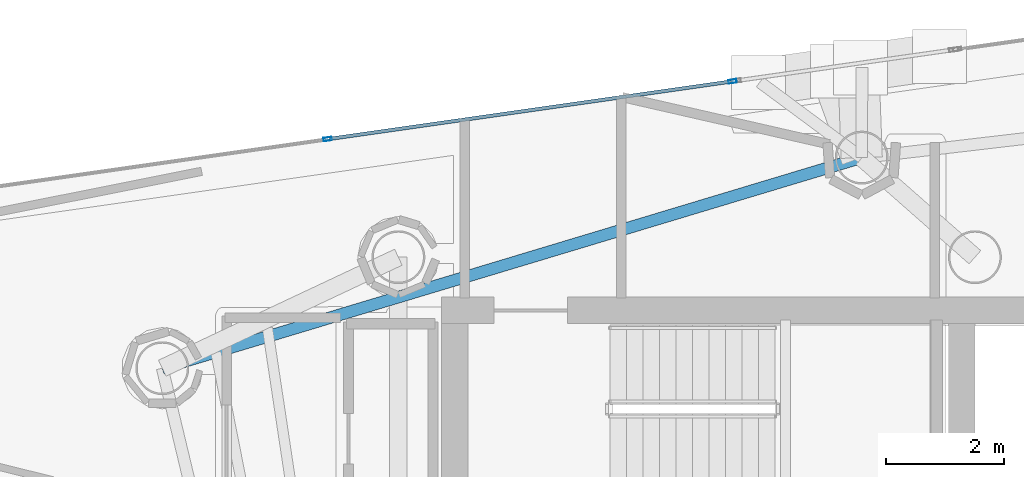
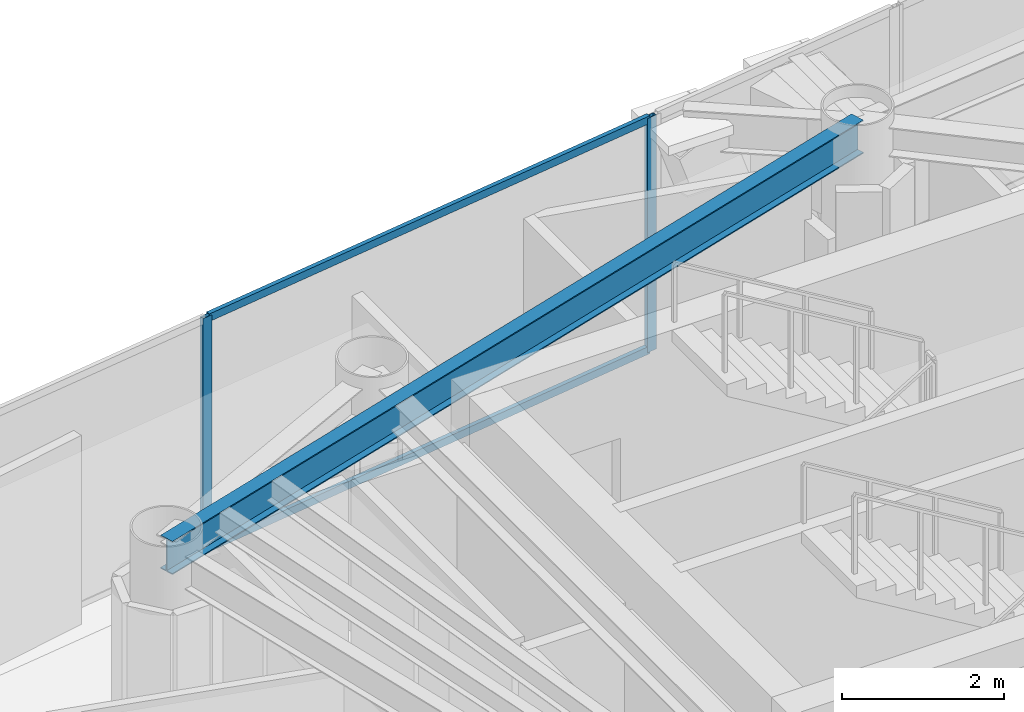
# One storey, part 12 of 25: 4 members, 1 beam, 1 element without a shape of its own.
"""IFC4 building model written with IfcOpenShell, lengths in metres."""

import ifcopenshell
import ifcopenshell.guid

model = None  # the IFC model being written
_history = None  # IfcOwnerHistory: only IFC2X3 demands one
_inside = {}  # id of a spatial element -> (the spatial element, [elements in it])
_under = {}  # id of a project, library or spatial element -> (it, [spatial elements below it])
_declared = {}  # id of a project -> (the project, [libraries it declares])
_typed = {}  # id of a type object -> (the type object, [elements of that type])
_made_of = {}  # id of a material, layer set ... -> (it, [elements and type objects made of it])


def new_model(schema):
    """Start an empty IFC model of exactly this schema.

    Asked for "IFC4X3", IfcOpenShell would pick the latest addendum, in which some entities
    have other attributes; the version numbers below select the first issue.
    IFC2X3 requires an IfcOwnerHistory on every rooted entity: one is made here for all.
    """
    global model, _history
    if schema == "IFC4X3":
        model = ifcopenshell.file(schema_version=(4, 3, 0, 0))
    else:
        model = ifcopenshell.file(schema=schema)
    _inside.clear()
    _under.clear()
    _declared.clear()
    _typed.clear()
    _made_of.clear()
    _history = None
    if model.schema == "IFC2X3":
        org = make("IfcOrganization", Name="unknown")
        user = make(
            "IfcPersonAndOrganization",
            ThePerson=make("IfcPerson", FamilyName="unknown"),
            TheOrganization=org,
        )
        app = make(
            "IfcApplication",
            ApplicationDeveloper=org,
            Version="unknown",
            ApplicationFullName="unknown",
            ApplicationIdentifier="unknown",
        )
        _history = make(
            "IfcOwnerHistory",
            OwningUser=user,
            OwningApplication=app,
            ChangeAction="ADDED",
            CreationDate=0,
        )
    return model


def make(cls, **values):
    """One entity of the class cls with the attributes given. An attribute that is None is left unset."""
    return model.create_entity(
        cls, **{name: value for name, value in values.items() if value is not None}
    )


def rooted(cls, **values):
    """An entity with a GlobalId (a new one), such as an element, a storey or a relation."""
    return make(cls, GlobalId=ifcopenshell.guid.new(), OwnerHistory=_history, **values)


def si_unit(unit_type, name, prefix=None):
    """IfcSIUnit, for example si_unit("LENGTHUNIT", "METRE", prefix="MILLI")."""
    return make("IfcSIUnit", UnitType=unit_type, Prefix=prefix, Name=name)


def assignment(units):
    """IfcUnitAssignment: the units of a project."""
    return None if units is None else make("IfcUnitAssignment", Units=units)


def point(xyz):
    """IfcCartesianPoint."""
    return None if xyz is None else make("IfcCartesianPoint", Coordinates=xyz)


def direction(xyz):
    """IfcDirection."""
    return None if xyz is None else make("IfcDirection", DirectionRatios=xyz)


def frame(location, z_axis=None, x_axis=None):
    """IfcAxis2Placement3D, a coordinate frame: its origin and axes. An axis left out is left unset."""
    return make(
        "IfcAxis2Placement3D",
        Location=point(location),
        Axis=direction(z_axis),
        RefDirection=direction(x_axis),
    )


def frame_2d(location, x_axis=None):
    """IfcAxis2Placement2D, a coordinate frame in the plane: its origin and x axis."""
    return make(
        "IfcAxis2Placement2D", Location=point(location), RefDirection=direction(x_axis)
    )


def origin():
    """The frame at (0, 0, 0) with its axes left unset."""
    return frame((0.0, 0.0, 0.0))


def origin_2d():
    """The frame at (0, 0) in the plane with its x axis left unset."""
    return frame_2d((0.0, 0.0))


def place(relative_to, where):
    """IfcLocalPlacement: puts the frame where relative to a parent placement (None: the world)."""
    return make(
        "IfcLocalPlacement", PlacementRelTo=relative_to, RelativePlacement=where
    )


def context(
    kind, dimensions, precision=None, world=None, true_north=None, identifier=None
):
    """IfcGeometricRepresentationContext, for example the 3D "Model" context."""
    return make(
        "IfcGeometricRepresentationContext",
        ContextIdentifier=identifier,
        ContextType=kind,
        CoordinateSpaceDimension=dimensions,
        Precision=precision,
        WorldCoordinateSystem=world,
        TrueNorth=true_north,
    )


def subcontext(parent, identifier, kind, view, scale=None):
    """IfcGeometricRepresentationSubContext, for example "Body" below "Model"."""
    return make(
        "IfcGeometricRepresentationSubContext",
        ContextIdentifier=identifier,
        ContextType=kind,
        ParentContext=parent,
        TargetScale=scale,
        TargetView=view,
    )


def project(units=None, contexts=None):
    """IfcProject with its units and contexts."""
    return rooted(
        "IfcProject",
        Name="project",
        RepresentationContexts=contexts,
        UnitsInContext=assignment(units),
    )


def spatial(cls, under=None, at=None, **own):
    """A site, building, storey or space (cls), placed at a placement, below another one or the project."""
    s = rooted(cls, ObjectPlacement=at, **own)
    if under is not None:
        _under.setdefault(under.id(), (under, []))[1].append(s)
    return s


def profile(cls, at=None, kind="AREA", **sizes):
    """A parametric profile (cls). Its sizes go by their IFC names, for example OverallWidth=200.0."""
    return make(cls, ProfileType=kind, Position=at, **sizes)


def hollow_rectangle(**sizes):
    """IfcRectangleHollowProfileDef."""
    return profile("IfcRectangleHollowProfileDef", **sizes)


def i_section(**sizes):
    """IfcIShapeProfileDef."""
    return profile("IfcIShapeProfileDef", **sizes)


def extrude(swept, where, along, depth):
    """IfcExtrudedAreaSolid: the profile swept, set in the frame where, extruded along a direction by depth."""
    return make(
        "IfcExtrudedAreaSolid",
        SweptArea=swept,
        Position=where,
        ExtrudedDirection=direction(along),
        Depth=depth,
    )


def shape(context_of_items, identifier, shape_type, items):
    """IfcShapeRepresentation: the items that make up one representation, for example the "Body"."""
    return make(
        "IfcShapeRepresentation",
        ContextOfItems=context_of_items,
        RepresentationIdentifier=identifier,
        RepresentationType=shape_type,
        Items=items,
    )


def material(Name=None, Category=None):
    """IfcMaterial."""
    return make("IfcMaterial", Name=Name, Category=Category)


def layer(
    of_material, thickness, ventilated=None, Name=None, Category=None, Priority=None
):
    """IfcMaterialLayer: one layer of a wall or slab, of a material (None: an air gap)."""
    return make(
        "IfcMaterialLayer",
        Material=of_material,
        LayerThickness=thickness,
        IsVentilated=ventilated,
        Name=Name,
        Category=Category,
        Priority=Priority,
    )


def layer_set(layers, Name=None):
    """IfcMaterialLayerSet."""
    return make("IfcMaterialLayerSet", MaterialLayers=layers, LayerSetName=Name)


def material_profile(
    of_material, cross_section, Name=None, Category=None, Priority=None
):
    """IfcMaterialProfile: a cross section and its material."""
    return make(
        "IfcMaterialProfile",
        Name=Name,
        Material=of_material,
        Profile=cross_section,
        Priority=Priority,
        Category=Category,
    )


def profile_set(profiles, Name=None, composite=None):
    """IfcMaterialProfileSet."""
    return make(
        "IfcMaterialProfileSet",
        Name=Name,
        MaterialProfiles=profiles,
        CompositeProfile=composite,
    )


def made_of(thing, what):
    """Note that an element or type object is made of a material, layer set ...; save() writes the relation."""
    if what is not None:
        _made_of.setdefault(what.id(), (what, []))[1].append(thing)
    return thing


def type_object(cls, material=None, **own):
    """A type object (cls), such as IfcWallType, which elements share."""
    return made_of(rooted(cls, **own), material)


def element(
    cls,
    number,
    at=None,
    inside=None,
    cuts=None,
    type_object=None,
    material=None,
    context=None,
    identifier="Body",
    shape_type=None,
    held_by="IfcProductDefinitionShape",
    body=None,
    shapes=None,
    **own,
):
    """One element of the class cls, such as IfcWall. Its Tag is "e" and its number.

    at: its placement. inside: the storey or other place that contains it. cuts: it is an
    opening in that element (IfcRelVoidsElement). A single representation is given by context,
    identifier, shape_type and body (its items); several are given by shapes. held_by: the class
    of the entity that holds the representations. save() writes the other relations.
    """
    e = rooted(cls, Tag="e%d" % number, ObjectPlacement=at, **own)
    if body is not None:
        shapes = [shape(context, identifier, shape_type, body)]
    if shapes is not None:
        e.Representation = make(held_by, Representations=shapes)
    if inside is not None:
        _inside.setdefault(inside.id(), (inside, []))[1].append(e)
    if cuts is not None:
        rooted(
            "IfcRelVoidsElement", RelatingBuildingElement=cuts, RelatedOpeningElement=e
        )
    if type_object is not None:
        _typed.setdefault(type_object.id(), (type_object, []))[1].append(e)
    return made_of(e, material)


def aggregate(whole, parts):
    """IfcRelAggregates: a whole, such as a stair, and the parts it consists of."""
    return rooted("IfcRelAggregates", RelatingObject=whole, RelatedObjects=parts)


def save(model, path):
    """Write the relations noted so far, then the file.

    IfcRelAggregates (storeys below a building ...), IfcRelContainedInSpatialStructure (elements
    in a storey), IfcRelDefinesByType, IfcRelAssociatesMaterial and IfcRelDeclares: one each for
    every whole, place, type object, material and project.
    """
    for whole, parts in _under.values():
        aggregate(whole, parts)
    for where, things in _inside.values():
        rooted(
            "IfcRelContainedInSpatialStructure",
            RelatedElements=things,
            RelatingStructure=where,
        )
    for kind, things in _typed.values():
        rooted("IfcRelDefinesByType", RelatedObjects=things, RelatingType=kind)
    for what, things in _made_of.values():
        rooted("IfcRelAssociatesMaterial", RelatedObjects=things, RelatingMaterial=what)
    for by, libraries in _declared.values():
        rooted("IfcRelDeclares", RelatingContext=by, RelatedDefinitions=libraries)
    model.write(path)


model = new_model("IFC4")

# Units and contexts
model_context = context("Model", 3, precision=1e-05, world=origin(), true_north=direction((0.0, 1.0)))
body_context = subcontext(model_context, "Body", "Model", "MODEL_VIEW")
ifc_project = project(units=[si_unit("LENGTHUNIT", "METRE"), si_unit("AREAUNIT", "SQUARE_METRE"), si_unit("VOLUMEUNIT", "CUBIC_METRE"), si_unit("PLANEANGLEUNIT", "RADIAN"), si_unit("MASSUNIT", "GRAM", prefix="KILO")], contexts=[model_context])

# Site, building, storey
site_placement = place(None, origin())
site = spatial("IfcSite", under=ifc_project, at=site_placement, CompositionType="ELEMENT")
building_placement = place(site_placement, origin())
building = spatial("IfcBuilding", under=site, at=building_placement, Name="Qianvela Tower", CompositionType="ELEMENT")
storey_placement = place(building_placement, frame((0.0, 0.0, 295.39990234375)))
storey = spatial("IfcBuildingStorey", under=building, at=storey_placement, Name="L76", CompositionType="ELEMENT", Elevation=295.39990234375)

# Beam
ifc_material_1 = material(Name="Steel Q355B", Category="steel")
ifc_material_profile_1 = material_profile(ifc_material_1, i_section(OverallWidth=0.199951171875, OverallDepth=0.5, WebThickness=0.010009765625, FlangeThickness=0.01611328125, at=origin_2d()), Name="HN500x200x10x16")
ifc_profile_set_1 = profile_set([ifc_material_profile_1], Name="Steel Q355B")
beam_type = type_object("IfcBeamType", Name="BM-HN500-GIRD", PredefinedType="BEAM", material=ifc_profile_set_1)
beam_placement = place(storey_placement, frame((36.47607421875, 35.242919921875, 3.26806640625), z_axis=(-0.957535726794, -0.288314640478, 0.0), x_axis=(0.288314640478, -0.957535726794, 0.0)))
element("IfcBeam", 1, at=beam_placement, inside=storey, type_object=beam_type, Name="L76 Perimeter Ring Spandrel Girder 2", PredefinedType="BEAM", context=body_context, shape_type="SweptSolid", body=[
    extrude(i_section(OverallWidth=0.199951171875, OverallDepth=0.5, WebThickness=0.010009765625, FlangeThickness=0.01611328125, at=origin_2d()), origin(), (0.0, 0.0, 1.0), 12.41650390625),
])

# Curtain wall, members
ifc_material_2 = material(Name="Anodised Architectural Aluminium and Low-E Glass", Category="aluminium")
ifc_layer = layer(ifc_material_2, 0.14990234375)
ifc_layer_set = layer_set([ifc_layer], Name="Anodised Architectural Aluminium and Low-E Glass")
curtain_wall_type = type_object("IfcCurtainWallType", Name="CW-COLIV-Z78", PredefinedType="USERDEFINED", material=ifc_layer_set)
curtain_wall_placement = place(storey_placement, origin())
curtain_wall = element("IfcCurtainWall", 2, at=curtain_wall_placement, inside=storey, type_object=curtain_wall_type, Name="L76 CW-COLIV-Z78 Curtain Wall 02C", ObjectType="CURTAIN_WALL_SYSTEM", PredefinedType="USERDEFINED")
ifc_material_3 = material(Name="Anodised Architectural Aluminium 6063-T6", Category="aluminium")
ifc_material_profile_2 = material_profile(ifc_material_3, hollow_rectangle(XDim=0.06005859375, YDim=0.139892578125, WallThickness=0.00439453125, at=origin_2d()), Name="ALU-MULL-60x140")
ifc_profile_set_2 = profile_set([ifc_material_profile_2], Name="Anodised Architectural Aluminium 6063-T6")
member_type_1 = type_object("IfcMemberType", Name="CW-COLIV-Z78-MULL", PredefinedType="MULLION", material=ifc_profile_set_2)
member_1_placement = place(storey_placement, frame((34.280029296875, 36.5400390625, 0.0), z_axis=(0.0, 0.0, 1.0), x_axis=(0.141362204424, -0.989957942117, 0.0)))
member_1 = element("IfcMember", 3, at=member_1_placement, type_object=member_type_1, Name="CW-6 mullion 1", PredefinedType="MULLION", context=body_context, shape_type="SweptSolid", body=[
    extrude(hollow_rectangle(XDim=0.06005859375, YDim=0.139892578125, WallThickness=0.00439453125, at=origin_2d()), origin(), (0.0, 0.0, 1.0), 3.52001953125),
])
member_2_placement = place(storey_placement, frame((27.397705078125, 35.557373046875, 0.0), z_axis=(0.0, 0.0, 1.0), x_axis=(0.141362204424, -0.989957942117, 0.0)))
member_2 = element("IfcMember", 4, at=member_2_placement, type_object=member_type_1, Name="CW-6 mullion 2", PredefinedType="MULLION", context=body_context, shape_type="SweptSolid", body=[
    extrude(hollow_rectangle(XDim=0.06005859375, YDim=0.139892578125, WallThickness=0.00439453125, at=origin_2d()), origin(), (0.0, 0.0, 1.0), 3.52001953125),
])
ifc_material_4 = material(Name="Anodised Architectural Aluminium 6063-T6", Category="aluminium")
ifc_material_profile_3 = material_profile(ifc_material_4, hollow_rectangle(XDim=0.06005859375, YDim=0.114990234375, WallThickness=0.00390625, at=origin_2d()), Name="ALU-TRAN-60x115")
ifc_profile_set_3 = profile_set([ifc_material_profile_3], Name="Anodised Architectural Aluminium 6063-T6")
member_type_2 = type_object("IfcMemberType", Name="CW-COLIV-Z78-TRAN", PredefinedType="USERDEFINED", material=ifc_profile_set_3)
member_3_placement = place(storey_placement, frame((34.250244140625, 36.535888671875, 0.030029296875), z_axis=(-0.989955868954, -0.141376721999, 0.0), x_axis=(0.141376721999, -0.989955868954, 0.0)))
member_3 = element("IfcMember", 5, at=member_3_placement, type_object=member_type_2, Name="CW-6 transom 1.1", ObjectType="TRANSOM", PredefinedType="USERDEFINED", context=body_context, shape_type="SweptSolid", body=[
    extrude(hollow_rectangle(XDim=0.06005859375, YDim=0.114990234375, WallThickness=0.00390625, at=origin_2d()), origin(), (0.0, 0.0, 1.0), 6.89208984375),
])
member_4_placement = place(storey_placement, frame((34.250244140625, 36.535888671875, 3.489990234375), z_axis=(-0.989955868954, -0.141376721999, 0.0), x_axis=(0.141376721999, -0.989955868954, 0.0)))
member_4 = element("IfcMember", 6, at=member_4_placement, type_object=member_type_2, Name="CW-6 transom 1.2", ObjectType="TRANSOM", PredefinedType="USERDEFINED", context=body_context, shape_type="SweptSolid", body=[
    extrude(hollow_rectangle(XDim=0.06005859375, YDim=0.114990234375, WallThickness=0.00390625, at=origin_2d()), origin(), (0.0, 0.0, 1.0), 6.89208984375),
])
aggregate(curtain_wall, [member_1, member_2, member_3, member_4])

save(model, "model.ifc")
